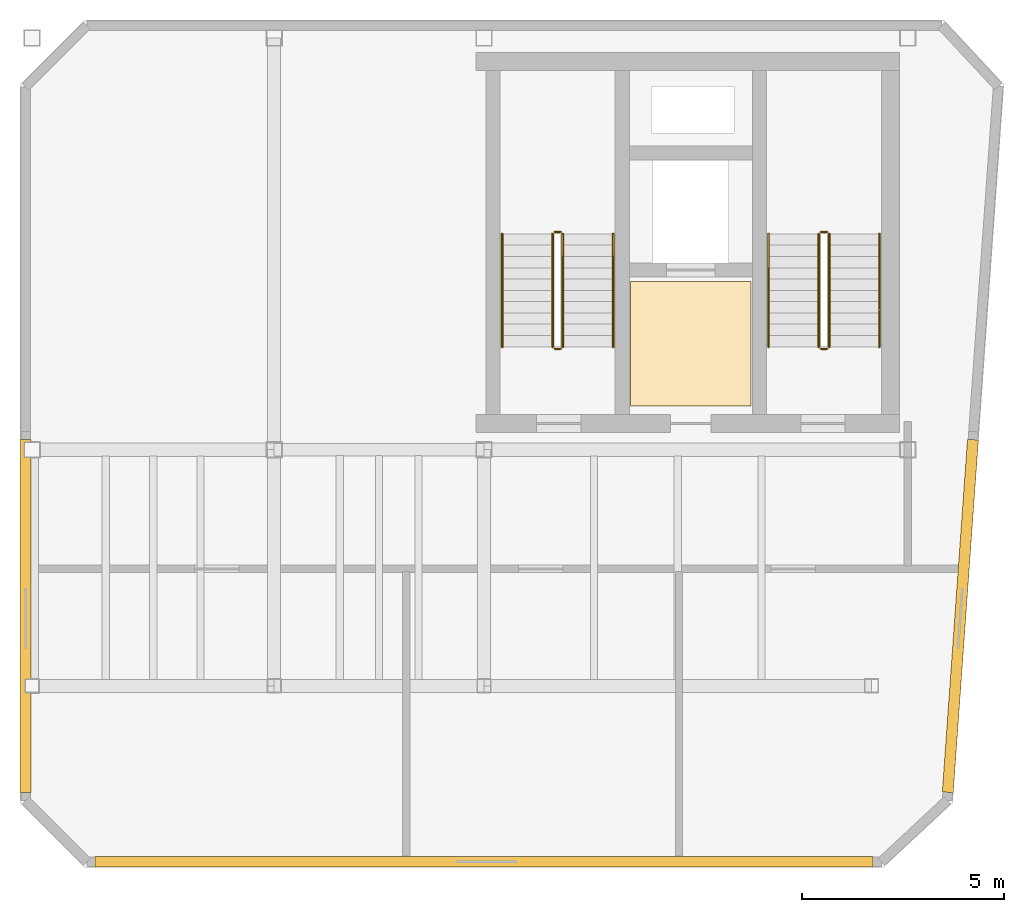
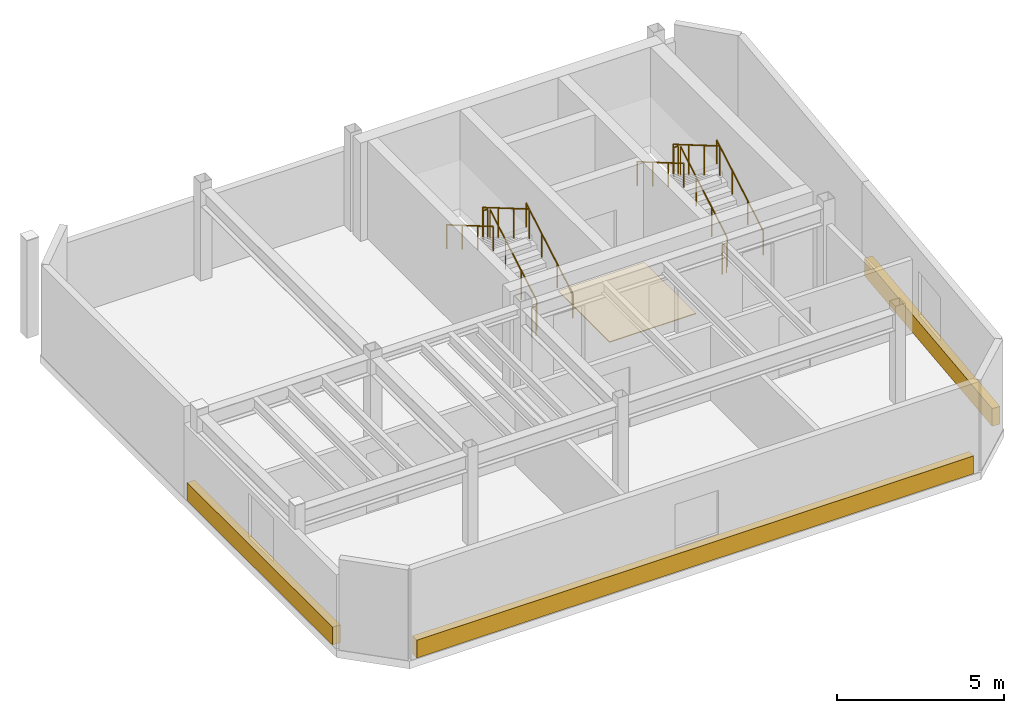
# One storey, part 3 of 3: 12 railings, 4 coverings.
"""IFC4 building model written with IfcOpenShell, lengths in metres."""

from ifc_helpers import new_model, si_unit, direction, frame, origin, origin_2d, place, context, subcontext, project, spatial, polyline, rectangle, circle, outline, extrude, material, layer, layer_set, type_object, element, save


model = new_model("IFC4")

# Units and contexts
model_context = context("Model", 3, precision=1e-05, world=origin(), true_north=direction((0.0, 1.0)))
body_context = subcontext(model_context, "Body", "Model", "MODEL_VIEW")
ifc_project = project(units=[si_unit("LENGTHUNIT", "METRE"), si_unit("AREAUNIT", "SQUARE_METRE"), si_unit("VOLUMEUNIT", "CUBIC_METRE"), si_unit("PLANEANGLEUNIT", "RADIAN"), si_unit("MASSUNIT", "GRAM", prefix="KILO")], contexts=[model_context])

# Site, building, storey
site_placement = place(None, origin())
site = spatial("IfcSite", under=ifc_project, at=site_placement, CompositionType="ELEMENT")
building_placement = place(site_placement, origin())
building = spatial("IfcBuilding", under=site, at=building_placement, Name="Kravanh Interchange Tower", CompositionType="ELEMENT")
storey_placement = place(building_placement, frame((0.0, 0.0, 319.199951171875)))
storey = spatial("IfcBuildingStorey", under=building, at=storey_placement, Name="L79", CompositionType="ELEMENT", Elevation=319.199951171875)

# Coverings
ifc_material_1 = material(Name="Anodised Champagne Bronze Aluminium", Category="aluminium")
ifc_layer_1 = layer(ifc_material_1, 0.02490234375)
ifc_layer_set_1 = layer_set([ifc_layer_1], Name="Anodised Bronze Spandrel Fascia Cladding 25mm")
covering_type_1 = type_object("IfcCoveringType", Name="Anodised Bronze Spandrel Fascia Cladding 25mm", PredefinedType="CLADDING", material=ifc_layer_set_1)
covering_1_placement = place(storey_placement, frame((44.639892578125, 33.22900390625, 0.025146484375), z_axis=(0.0, 0.0, 1.0), x_axis=(0.0, 1.0, 0.0)))
element("IfcCovering", 1, at=covering_1_placement, inside=storey, type_object=covering_type_1, Name="L79 Bronze Fascia Cladding 1", PredefinedType="CLADDING", context=body_context, shape_type="SweptSolid", body=[
    extrude(rectangle(XDim=8.741943359375, YDim=0.27001953125, at=origin_2d()), origin(), (0.0, 0.0, 1.0), 0.64990234375),
])
covering_2_placement = place(storey_placement, frame((67.8046875, 33.23046875, 0.025146484375), z_axis=(0.0, 0.0, 1.0), x_axis=(-0.071246253895, -0.997458756694, 0.0)))
element("IfcCovering", 2, at=covering_2_placement, inside=storey, type_object=covering_type_1, Name="L79 Bronze Fascia Cladding 7", PredefinedType="CLADDING", context=body_context, shape_type="SweptSolid", body=[
    extrude(rectangle(XDim=8.761962890625, YDim=0.27001953125, at=origin_2d()), origin(), (0.0, 0.0, 1.0), 0.64990234375),
])
covering_3_placement = place(storey_placement, frame((56.00146484375, 27.139892578125, 0.025146484375), z_axis=(0.0, 0.0, 1.0), x_axis=(-1.0, 0.0, 0.0)))
element("IfcCovering", 3, at=covering_3_placement, inside=storey, type_object=covering_type_1, Name="L79 Bronze Fascia Cladding 9", PredefinedType="CLADDING", context=body_context, shape_type="SweptSolid", body=[
    extrude(rectangle(XDim=19.287109375, YDim=0.27001953125, at=origin_2d()), origin(), (0.0, 0.0, 1.0), 0.64990234375),
])
ifc_material_2 = material(Name="Cementitious Terrazzo Tile")
ifc_layer_2 = layer(ifc_material_2, 0.030029296875)
ifc_layer_set_2 = layer_set([ifc_layer_2], Name="Honed Terrazzo Lobby Flooring 30mm")
covering_type_2 = type_object("IfcCoveringType", Name="Honed Terrazzo Lobby Flooring 30mm", PredefinedType="FLOORING", material=ifc_layer_set_2)
covering_4_placement = place(storey_placement, origin())
element("IfcCovering", 4, at=covering_4_placement, inside=storey, type_object=covering_type_2, Name="L79 Service Lift Lobby Floor Finish", PredefinedType="FLOORING", context=body_context, shape_type="SweptSolid", body=[
    extrude(outline(polyline([(59.6298828125, 41.52001953125), (62.6201171875, 41.52001953125), (62.6201171875, 38.429931640625), (59.6298828125, 38.429931640625), (59.6298828125, 41.52001953125)])), origin(), (0.0, 0.0, 1.0), 0.030029296875),
])

# Railings
ifc_material_3 = material(Name="Structural Steel S355", Category="steel")
ifc_layer_3 = layer(ifc_material_3, 0.050048828125)
ifc_layer_set_3 = layer_set([ifc_layer_3], Name="Stair Well Guardrail Structural Steel S355 1100mm")
railing_type_1 = type_object("IfcRailingType", Name="Stair Well Guardrail Structural Steel S355 1100mm", PredefinedType="GUARDRAIL", material=ifc_layer_set_3)
railing_1_placement = place(storey_placement, frame((64.550048828125, 39.89990234375, 0.16357421875)))
element("IfcRailing", 5, at=railing_1_placement, inside=storey, type_object=railing_type_1, Name="L79 ST1 stair guard 1", PredefinedType="GUARDRAIL", context=body_context, shape_type="SweptSolid", body=[
    extrude(circle(Radius=0.02392578125, at=origin_2d()), frame((0.0, 0.0, 1.076171875), z_axis=(0.0, 0.863360870873, 0.504586966384), x_axis=(-1.0, 0.0, 0.0)), (0.0, 0.0, 1.0), 3.2431640625),
    extrude(circle(Radius=0.02099609375, at=origin_2d()), origin(), (0.0, 0.0, 1.0), 1.052001953125),
    extrude(circle(Radius=0.02099609375, at=origin_2d()), frame((0.0, 0.933349609375, 0.54541015625)), (0.0, 0.0, 1.0), 1.052001953125),
    extrude(circle(Radius=0.02099609375, at=origin_2d()), frame((0.0, 1.86669921875, 1.091064453125)), (0.0, 0.0, 1.0), 1.052001953125),
    extrude(circle(Radius=0.02099609375, at=origin_2d()), frame((0.0, 2.800048828125, 1.636474609375)), (0.0, 0.0, 1.0), 1.052001953125),
])
railing_2_placement = place(storey_placement, frame((64.5, 42.75, 1.800048828125)))
element("IfcRailing", 6, at=railing_2_placement, inside=storey, type_object=railing_type_1, Name="L79 ST1 stair guard 2", PredefinedType="GUARDRAIL", context=body_context, shape_type="SweptSolid", body=[
    extrude(circle(Radius=0.02392578125, at=origin_2d()), frame((0.0, 0.0, 1.076171875), z_axis=(-1.0, 0.0, 0.0), x_axis=(0.0, -1.0, 0.0)), (0.0, 0.0, 1.0), 0.14990234375),
    extrude(circle(Radius=0.02099609375, at=origin_2d()), origin(), (0.0, 0.0, 1.0), 1.052001953125),
    extrude(circle(Radius=0.02099609375, at=origin_2d()), frame((-0.14990234375, 0.0, 0.0)), (0.0, 0.0, 1.0), 1.052001953125),
])
railing_3_placement = place(storey_placement, frame((64.300048828125, 42.699951171875, 1.963623046875)))
element("IfcRailing", 7, at=railing_3_placement, inside=storey, type_object=railing_type_1, Name="L79 ST1 stair guard 3", PredefinedType="GUARDRAIL", context=body_context, shape_type="SweptSolid", body=[
    extrude(circle(Radius=0.02392578125, at=origin_2d()), frame((0.0, 0.0, 1.076171875), z_axis=(0.0, -0.863360870873, 0.504586966384), x_axis=(1.0, 0.0, 0.0)), (0.0, 0.0, 1.0), 3.2431640625),
    extrude(circle(Radius=0.02099609375, at=origin_2d()), origin(), (0.0, 0.0, 1.0), 1.052001953125),
    extrude(circle(Radius=0.02099609375, at=origin_2d()), frame((0.0, -0.933349609375, 0.54541015625)), (0.0, 0.0, 1.0), 1.052001953125),
    extrude(circle(Radius=0.02099609375, at=origin_2d()), frame((0.0, -1.86669921875, 1.091064453125)), (0.0, 0.0, 1.0), 1.052001953125),
    extrude(circle(Radius=0.02099609375, at=origin_2d()), frame((0.0, -2.800048828125, 1.636474609375)), (0.0, 0.0, 1.0), 1.052001953125),
])
railing_4_placement = place(storey_placement, frame((64.5, 39.85009765625, 0.0)))
element("IfcRailing", 8, at=railing_4_placement, inside=storey, type_object=railing_type_1, Name="L79 ST1 stair guard 4", PredefinedType="GUARDRAIL", context=body_context, shape_type="SweptSolid", body=[
    extrude(circle(Radius=0.02392578125, at=origin_2d()), frame((0.0, 0.0, 1.076171875), z_axis=(-1.0, 0.0, 0.0), x_axis=(0.0, -1.0, 0.0)), (0.0, 0.0, 1.0), 0.14990234375),
    extrude(circle(Radius=0.02099609375, at=origin_2d()), origin(), (0.0, 0.0, 1.0), 1.052001953125),
    extrude(circle(Radius=0.02099609375, at=origin_2d()), frame((-0.14990234375, 0.0, 0.0)), (0.0, 0.0, 1.0), 1.052001953125),
])
railing_5_placement = place(storey_placement, frame((57.949951171875, 39.89990234375, 0.16357421875)))
element("IfcRailing", 9, at=railing_5_placement, inside=storey, type_object=railing_type_1, Name="L79 ST2 stair guard 1", PredefinedType="GUARDRAIL", context=body_context, shape_type="SweptSolid", body=[
    extrude(circle(Radius=0.02392578125, at=origin_2d()), frame((0.0, 0.0, 1.076171875), z_axis=(0.0, 0.863360870873, 0.504586966384), x_axis=(-1.0, 0.0, 0.0)), (0.0, 0.0, 1.0), 3.2431640625),
    extrude(circle(Radius=0.02099609375, at=origin_2d()), origin(), (0.0, 0.0, 1.0), 1.052001953125),
    extrude(circle(Radius=0.02099609375, at=origin_2d()), frame((0.0, 0.933349609375, 0.54541015625)), (0.0, 0.0, 1.0), 1.052001953125),
    extrude(circle(Radius=0.02099609375, at=origin_2d()), frame((0.0, 1.86669921875, 1.091064453125)), (0.0, 0.0, 1.0), 1.052001953125),
    extrude(circle(Radius=0.02099609375, at=origin_2d()), frame((0.0, 2.800048828125, 1.636474609375)), (0.0, 0.0, 1.0), 1.052001953125),
])
railing_6_placement = place(storey_placement, frame((57.89990234375, 42.75, 1.800048828125)))
element("IfcRailing", 10, at=railing_6_placement, inside=storey, type_object=railing_type_1, Name="L79 ST2 stair guard 2", PredefinedType="GUARDRAIL", context=body_context, shape_type="SweptSolid", body=[
    extrude(circle(Radius=0.02392578125, at=origin_2d()), frame((0.0, 0.0, 1.076171875), z_axis=(-1.0, 0.0, 0.0), x_axis=(0.0, -1.0, 0.0)), (0.0, 0.0, 1.0), 0.14990234375),
    extrude(circle(Radius=0.02099609375, at=origin_2d()), origin(), (0.0, 0.0, 1.0), 1.052001953125),
    extrude(circle(Radius=0.02099609375, at=origin_2d()), frame((-0.14990234375, 0.0, 0.0)), (0.0, 0.0, 1.0), 1.052001953125),
])
railing_7_placement = place(storey_placement, frame((57.699951171875, 42.699951171875, 1.963623046875)))
element("IfcRailing", 11, at=railing_7_placement, inside=storey, type_object=railing_type_1, Name="L79 ST2 stair guard 3", PredefinedType="GUARDRAIL", context=body_context, shape_type="SweptSolid", body=[
    extrude(circle(Radius=0.02392578125, at=origin_2d()), frame((0.0, 0.0, 1.076171875), z_axis=(0.0, -0.863360870873, 0.504586966384), x_axis=(1.0, 0.0, 0.0)), (0.0, 0.0, 1.0), 3.2431640625),
    extrude(circle(Radius=0.02099609375, at=origin_2d()), origin(), (0.0, 0.0, 1.0), 1.052001953125),
    extrude(circle(Radius=0.02099609375, at=origin_2d()), frame((0.0, -0.933349609375, 0.54541015625)), (0.0, 0.0, 1.0), 1.052001953125),
    extrude(circle(Radius=0.02099609375, at=origin_2d()), frame((0.0, -1.86669921875, 1.091064453125)), (0.0, 0.0, 1.0), 1.052001953125),
    extrude(circle(Radius=0.02099609375, at=origin_2d()), frame((0.0, -2.800048828125, 1.636474609375)), (0.0, 0.0, 1.0), 1.052001953125),
])
railing_8_placement = place(storey_placement, frame((57.89990234375, 39.85009765625, 0.0)))
element("IfcRailing", 12, at=railing_8_placement, inside=storey, type_object=railing_type_1, Name="L79 ST2 stair guard 4", PredefinedType="GUARDRAIL", context=body_context, shape_type="SweptSolid", body=[
    extrude(circle(Radius=0.02392578125, at=origin_2d()), frame((0.0, 0.0, 1.076171875), z_axis=(-1.0, 0.0, 0.0), x_axis=(0.0, -1.0, 0.0)), (0.0, 0.0, 1.0), 0.14990234375),
    extrude(circle(Radius=0.02099609375, at=origin_2d()), origin(), (0.0, 0.0, 1.0), 1.052001953125),
    extrude(circle(Radius=0.02099609375, at=origin_2d()), frame((-0.14990234375, 0.0, 0.0)), (0.0, 0.0, 1.0), 1.052001953125),
])
ifc_material_4 = material(Name="Stainless Steel 304", Category="steel")
ifc_layer_4 = layer(ifc_material_4, 0.044921875)
ifc_layer_set_4 = layer_set([ifc_layer_4], Name="Tubular Stair Handrail Stainless 304 900mm")
railing_type_2 = type_object("IfcRailingType", Name="Tubular Stair Handrail Stainless 304 900mm", PredefinedType="HANDRAIL", material=ifc_layer_set_4)
railing_9_placement = place(storey_placement, frame((65.800048828125, 39.89990234375, 0.16357421875)))
element("IfcRailing", 13, at=railing_9_placement, inside=storey, type_object=railing_type_2, Name="L79 ST1 stair handrail 1", PredefinedType="HANDRAIL", context=body_context, shape_type="SweptSolid", body=[
    extrude(circle(Radius=0.02392578125, at=origin_2d()), frame((0.0, 0.0, 0.8759765625), z_axis=(0.0, 0.863360870873, 0.504586966384), x_axis=(-1.0, 0.0, 0.0)), (0.0, 0.0, 1.0), 3.2431640625),
    extrude(circle(Radius=0.02099609375, at=origin_2d()), origin(), (0.0, 0.0, 1.0), 0.851806640625),
    extrude(circle(Radius=0.02099609375, at=origin_2d()), frame((0.0, 0.933349609375, 0.54541015625)), (0.0, 0.0, 1.0), 0.851806640625),
    extrude(circle(Radius=0.02099609375, at=origin_2d()), frame((0.0, 1.86669921875, 1.091064453125)), (0.0, 0.0, 1.0), 0.851806640625),
    extrude(circle(Radius=0.02099609375, at=origin_2d()), frame((0.0, 2.800048828125, 1.636474609375)), (0.0, 0.0, 1.0), 0.851806640625),
])
railing_10_placement = place(storey_placement, frame((63.050048828125, 42.699951171875, 1.963623046875)))
element("IfcRailing", 14, at=railing_10_placement, inside=storey, type_object=railing_type_2, Name="L79 ST1 stair handrail 2", PredefinedType="HANDRAIL", context=body_context, shape_type="SweptSolid", body=[
    extrude(circle(Radius=0.02392578125, at=origin_2d()), frame((0.0, 0.0, 0.8759765625), z_axis=(0.0, -0.863360870873, 0.504586966384), x_axis=(1.0, 0.0, 0.0)), (0.0, 0.0, 1.0), 3.2431640625),
    extrude(circle(Radius=0.02099609375, at=origin_2d()), origin(), (0.0, 0.0, 1.0), 0.851806640625),
    extrude(circle(Radius=0.02099609375, at=origin_2d()), frame((0.0, -0.933349609375, 0.54541015625)), (0.0, 0.0, 1.0), 0.851806640625),
    extrude(circle(Radius=0.02099609375, at=origin_2d()), frame((0.0, -1.86669921875, 1.091064453125)), (0.0, 0.0, 1.0), 0.851806640625),
    extrude(circle(Radius=0.02099609375, at=origin_2d()), frame((0.0, -2.800048828125, 1.636474609375)), (0.0, 0.0, 1.0), 0.851806640625),
])
railing_11_placement = place(storey_placement, frame((59.199951171875, 39.89990234375, 0.16357421875)))
element("IfcRailing", 15, at=railing_11_placement, inside=storey, type_object=railing_type_2, Name="L79 ST2 stair handrail 1", PredefinedType="HANDRAIL", context=body_context, shape_type="SweptSolid", body=[
    extrude(circle(Radius=0.02392578125, at=origin_2d()), frame((0.0, 0.0, 0.8759765625), z_axis=(0.0, 0.863360870873, 0.504586966384), x_axis=(-1.0, 0.0, 0.0)), (0.0, 0.0, 1.0), 3.2431640625),
    extrude(circle(Radius=0.02099609375, at=origin_2d()), origin(), (0.0, 0.0, 1.0), 0.851806640625),
    extrude(circle(Radius=0.02099609375, at=origin_2d()), frame((0.0, 0.933349609375, 0.54541015625)), (0.0, 0.0, 1.0), 0.851806640625),
    extrude(circle(Radius=0.02099609375, at=origin_2d()), frame((0.0, 1.86669921875, 1.091064453125)), (0.0, 0.0, 1.0), 0.851806640625),
    extrude(circle(Radius=0.02099609375, at=origin_2d()), frame((0.0, 2.800048828125, 1.636474609375)), (0.0, 0.0, 1.0), 0.851806640625),
])
railing_12_placement = place(storey_placement, frame((56.449951171875, 42.699951171875, 1.963623046875)))
element("IfcRailing", 16, at=railing_12_placement, inside=storey, type_object=railing_type_2, Name="L79 ST2 stair handrail 2", PredefinedType="HANDRAIL", context=body_context, shape_type="SweptSolid", body=[
    extrude(circle(Radius=0.02392578125, at=origin_2d()), frame((0.0, 0.0, 0.8759765625), z_axis=(0.0, -0.863360870873, 0.504586966384), x_axis=(1.0, 0.0, 0.0)), (0.0, 0.0, 1.0), 3.2431640625),
    extrude(circle(Radius=0.02099609375, at=origin_2d()), origin(), (0.0, 0.0, 1.0), 0.851806640625),
    extrude(circle(Radius=0.02099609375, at=origin_2d()), frame((0.0, -0.933349609375, 0.54541015625)), (0.0, 0.0, 1.0), 0.851806640625),
    extrude(circle(Radius=0.02099609375, at=origin_2d()), frame((0.0, -1.86669921875, 1.091064453125)), (0.0, 0.0, 1.0), 0.851806640625),
    extrude(circle(Radius=0.02099609375, at=origin_2d()), frame((0.0, -2.800048828125, 1.636474609375)), (0.0, 0.0, 1.0), 0.851806640625),
])

save(model, "model.ifc")
